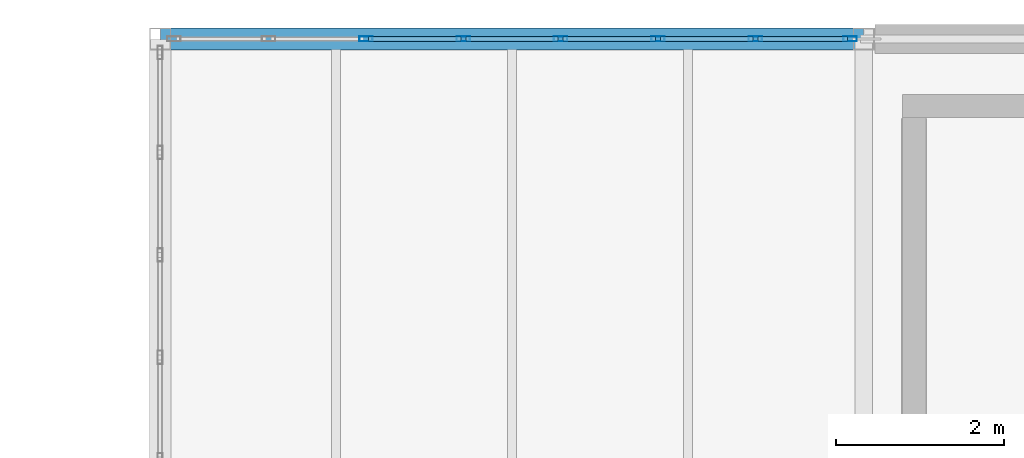
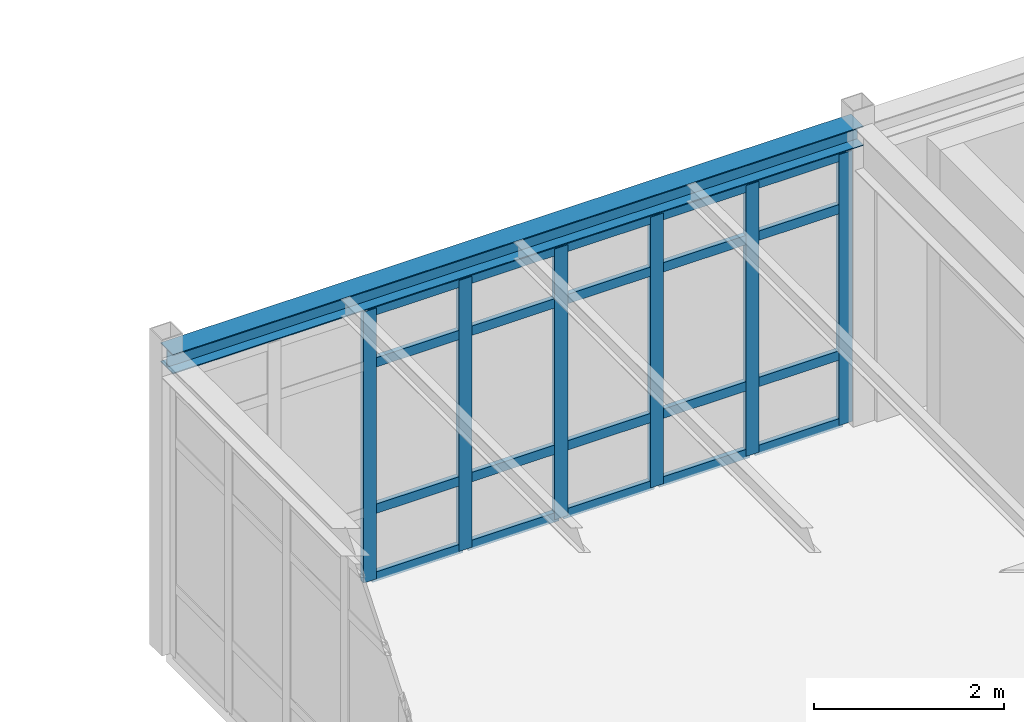
# One storey, part 100 of 189: 26 members, 1 beam, 1 element without a shape of its own.
"""IFC4 building model written with IfcOpenShell, lengths in metres."""

from ifc_helpers import new_model, si_unit, direction, frame, origin, origin_2d, place, context, subcontext, project, spatial, hollow_rectangle, i_section, extrude, material, layer, layer_set, material_profile, profile_set, type_object, element, aggregate, save


model = new_model("IFC4")

# Units and contexts
model_context = context("Model", 3, precision=1e-05, world=origin(), true_north=direction((0.0, 1.0)))
body_context = subcontext(model_context, "Body", "Model", "MODEL_VIEW")
ifc_project = project(units=[si_unit("LENGTHUNIT", "METRE"), si_unit("AREAUNIT", "SQUARE_METRE"), si_unit("VOLUMEUNIT", "CUBIC_METRE"), si_unit("PLANEANGLEUNIT", "RADIAN"), si_unit("MASSUNIT", "GRAM", prefix="KILO")], contexts=[model_context])

# Site, building, storey
site_placement = place(None, origin())
site = spatial("IfcSite", under=ifc_project, at=site_placement, CompositionType="ELEMENT")
building_placement = place(site_placement, origin())
building = spatial("IfcBuilding", under=site, at=building_placement, Name="Montecoro Central Library", CompositionType="ELEMENT")
storey_placement = place(building_placement, frame((0.0, 0.0, 9.179931640625)))
storey = spatial("IfcBuildingStorey", under=building, at=storey_placement, Name="L02", CompositionType="ELEMENT", Elevation=9.179931640625)

# Beam
ifc_material_1 = material(Name="Steel S355", Category="steel")
ifc_material_profile_1 = material_profile(ifc_material_1, i_section(OverallWidth=0.260009765625, OverallDepth=0.25, WebThickness=0.007568359375, FlangeThickness=0.012451171875, at=origin_2d()), Name="HEA 260")
ifc_profile_set_1 = profile_set([ifc_material_profile_1], Name="Steel S355")
beam_type = type_object("IfcBeamType", Name="BM-SP-HEA260", PredefinedType="SPANDREL", material=ifc_profile_set_1)
beam_placement = place(storey_placement, frame((66.405029296875, 119.0, 3.699951171875), z_axis=(1.0, 0.0, 0.0), x_axis=(0.0, 1.0, 0.0)))
element("IfcBeam", 1, at=beam_placement, inside=storey, type_object=beam_type, Name="V2-L02-BX-910-R", PredefinedType="SPANDREL", context=body_context, shape_type="SweptSolid", body=[
    extrude(i_section(OverallWidth=0.260009765625, OverallDepth=0.25, WebThickness=0.007568359375, FlangeThickness=0.012451171875, at=origin_2d()), origin(), (0.0, 0.0, 1.0), 8.389892578125),
])

# Curtain wall, members
ifc_material_2 = material(Name="Bronze-anodised aluminium and low-E glazing", Category="aluminium")
ifc_layer = layer(ifc_material_2, 0.159912109375)
ifc_layer_set = layer_set([ifc_layer], Name="Bronze-anodised aluminium and low-E glazing")
curtain_wall_type = type_object("IfcCurtainWallType", Name="CWT-016", PredefinedType="NOTDEFINED", material=ifc_layer_set)
curtain_wall_placement = place(storey_placement, origin())
curtain_wall = element("IfcCurtainWall", 2, at=curtain_wall_placement, inside=storey, type_object=curtain_wall_type, Name="V2-L02-CW-N0", PredefinedType="NOTDEFINED")
ifc_material_3 = material(Name="Bronze-anodised aluminium", Category="aluminium")
ifc_material_profile_2 = material_profile(ifc_material_3, hollow_rectangle(XDim=0.06005859375, YDim=0.159912109375, WallThickness=0.00390625, at=origin_2d()), Name="CWM 160x60x4.0")
ifc_profile_set_2 = profile_set([ifc_material_profile_2], Name="Bronze-anodised aluminium")
member_type_1 = type_object("IfcMemberType", Name="CWM-BRZ-60", PredefinedType="MULLION", material=ifc_profile_set_2)
member_1_placement = place(storey_placement, frame((74.636962890625, 119.0, 0.0), z_axis=(0.0, 0.0, 1.0), x_axis=(0.0, -1.0, 0.0)))
member_1 = element("IfcMember", 3, at=member_1_placement, type_object=member_type_1, Name="CW-016 mullion 1", PredefinedType="MULLION", context=body_context, shape_type="SweptSolid", body=[
    extrude(hollow_rectangle(XDim=0.06005859375, YDim=0.159912109375, WallThickness=0.00390625, at=origin_2d()), origin(), (0.0, 0.0, 1.0), 3.47998046875),
])
member_2_placement = place(storey_placement, frame((73.5048828125, 119.0, 0.0), z_axis=(0.0, 0.0, 1.0), x_axis=(0.0, -1.0, 0.0)))
member_2 = element("IfcMember", 4, at=member_2_placement, type_object=member_type_1, Name="CW-016 mullion 2", PredefinedType="MULLION", context=body_context, shape_type="SweptSolid", body=[
    extrude(hollow_rectangle(XDim=0.06005859375, YDim=0.159912109375, WallThickness=0.00390625, at=origin_2d()), origin(), (0.0, 0.0, 1.0), 3.47998046875),
])
member_3_placement = place(storey_placement, frame((72.343017578125, 119.0, 0.0), z_axis=(0.0, 0.0, 1.0), x_axis=(0.0, -1.0, 0.0)))
member_3 = element("IfcMember", 5, at=member_3_placement, type_object=member_type_1, Name="CW-016 mullion 3", PredefinedType="MULLION", context=body_context, shape_type="SweptSolid", body=[
    extrude(hollow_rectangle(XDim=0.06005859375, YDim=0.159912109375, WallThickness=0.00390625, at=origin_2d()), origin(), (0.0, 0.0, 1.0), 3.47998046875),
])
member_4_placement = place(storey_placement, frame((71.180908203125, 119.0, 0.0), z_axis=(0.0, 0.0, 1.0), x_axis=(0.0, -1.0, 0.0)))
member_4 = element("IfcMember", 6, at=member_4_placement, type_object=member_type_1, Name="CW-016 mullion 4", PredefinedType="MULLION", context=body_context, shape_type="SweptSolid", body=[
    extrude(hollow_rectangle(XDim=0.06005859375, YDim=0.159912109375, WallThickness=0.00390625, at=origin_2d()), origin(), (0.0, 0.0, 1.0), 3.47998046875),
])
member_5_placement = place(storey_placement, frame((70.01904296875, 119.0, 0.0), z_axis=(0.0, 0.0, 1.0), x_axis=(0.0, -1.0, 0.0)))
member_5 = element("IfcMember", 7, at=member_5_placement, type_object=member_type_1, Name="CW-016 mullion 5", PredefinedType="MULLION", context=body_context, shape_type="SweptSolid", body=[
    extrude(hollow_rectangle(XDim=0.06005859375, YDim=0.159912109375, WallThickness=0.00390625, at=origin_2d()), origin(), (0.0, 0.0, 1.0), 3.47998046875),
])
member_6_placement = place(storey_placement, frame((68.85693359375, 119.0, 0.0), z_axis=(0.0, 0.0, 1.0), x_axis=(0.0, -1.0, 0.0)))
member_6 = element("IfcMember", 8, at=member_6_placement, type_object=member_type_1, Name="CW-016 mullion 6", PredefinedType="MULLION", context=body_context, shape_type="SweptSolid", body=[
    extrude(hollow_rectangle(XDim=0.06005859375, YDim=0.159912109375, WallThickness=0.00390625, at=origin_2d()), origin(), (0.0, 0.0, 1.0), 3.47998046875),
])
ifc_material_profile_3 = material_profile(ifc_material_3, hollow_rectangle(XDim=0.06005859375, YDim=0.1201171875, WallThickness=0.00390625, at=origin_2d()), Name="CWT 120x60x4.0")
ifc_profile_set_3 = profile_set([ifc_material_profile_3], Name="Bronze-anodised aluminium")
member_type_2 = type_object("IfcMemberType", Name="CWT-BRZ-60", PredefinedType="USERDEFINED", material=ifc_profile_set_3)
member_7_placement = place(storey_placement, frame((74.60693359375, 119.0, 0.030029296875), z_axis=(-1.0, 0.0, 0.0), x_axis=(0.0, -1.0, 0.0)))
member_7 = element("IfcMember", 9, at=member_7_placement, type_object=member_type_2, Name="CW-016 transom 1.1", ObjectType="TRANSOM", PredefinedType="USERDEFINED", context=body_context, shape_type="SweptSolid", body=[
    extrude(hollow_rectangle(XDim=0.06005859375, YDim=0.1201171875, WallThickness=0.00390625, at=origin_2d()), origin(), (0.0, 0.0, 1.0), 1.072021484375),
])
member_8_placement = place(storey_placement, frame((74.60693359375, 119.0, 0.900146484375), z_axis=(-1.0, 0.0, 0.0), x_axis=(0.0, -1.0, 0.0)))
member_8 = element("IfcMember", 10, at=member_8_placement, type_object=member_type_2, Name="CW-016 transom 1.2", ObjectType="TRANSOM", PredefinedType="USERDEFINED", context=body_context, shape_type="SweptSolid", body=[
    extrude(hollow_rectangle(XDim=0.06005859375, YDim=0.1201171875, WallThickness=0.00390625, at=origin_2d()), origin(), (0.0, 0.0, 1.0), 1.072021484375),
])
member_9_placement = place(storey_placement, frame((74.60693359375, 119.0, 2.780029296875), z_axis=(-1.0, 0.0, 0.0), x_axis=(0.0, -1.0, 0.0)))
member_9 = element("IfcMember", 11, at=member_9_placement, type_object=member_type_2, Name="CW-016 transom 1.3", ObjectType="TRANSOM", PredefinedType="USERDEFINED", context=body_context, shape_type="SweptSolid", body=[
    extrude(hollow_rectangle(XDim=0.06005859375, YDim=0.1201171875, WallThickness=0.00390625, at=origin_2d()), origin(), (0.0, 0.0, 1.0), 1.072021484375),
])
member_10_placement = place(storey_placement, frame((74.60693359375, 119.0, 3.449951171875), z_axis=(-1.0, 0.0, 0.0), x_axis=(0.0, -1.0, 0.0)))
member_10 = element("IfcMember", 12, at=member_10_placement, type_object=member_type_2, Name="CW-016 transom 1.4", ObjectType="TRANSOM", PredefinedType="USERDEFINED", context=body_context, shape_type="SweptSolid", body=[
    extrude(hollow_rectangle(XDim=0.06005859375, YDim=0.1201171875, WallThickness=0.00390625, at=origin_2d()), origin(), (0.0, 0.0, 1.0), 1.072021484375),
])
member_11_placement = place(storey_placement, frame((73.47509765625, 119.0, 0.030029296875), z_axis=(-1.0, 0.0, 0.0), x_axis=(0.0, -1.0, 0.0)))
member_11 = element("IfcMember", 13, at=member_11_placement, type_object=member_type_2, Name="CW-016 transom 2.1", ObjectType="TRANSOM", PredefinedType="USERDEFINED", context=body_context, shape_type="SweptSolid", body=[
    extrude(hollow_rectangle(XDim=0.06005859375, YDim=0.1201171875, WallThickness=0.00390625, at=origin_2d()), origin(), (0.0, 0.0, 1.0), 1.10205078125),
])
member_12_placement = place(storey_placement, frame((73.47509765625, 119.0, 0.900146484375), z_axis=(-1.0, 0.0, 0.0), x_axis=(0.0, -1.0, 0.0)))
member_12 = element("IfcMember", 14, at=member_12_placement, type_object=member_type_2, Name="CW-016 transom 2.2", ObjectType="TRANSOM", PredefinedType="USERDEFINED", context=body_context, shape_type="SweptSolid", body=[
    extrude(hollow_rectangle(XDim=0.06005859375, YDim=0.1201171875, WallThickness=0.00390625, at=origin_2d()), origin(), (0.0, 0.0, 1.0), 1.10205078125),
])
member_13_placement = place(storey_placement, frame((73.47509765625, 119.0, 2.780029296875), z_axis=(-1.0, 0.0, 0.0), x_axis=(0.0, -1.0, 0.0)))
member_13 = element("IfcMember", 15, at=member_13_placement, type_object=member_type_2, Name="CW-016 transom 2.3", ObjectType="TRANSOM", PredefinedType="USERDEFINED", context=body_context, shape_type="SweptSolid", body=[
    extrude(hollow_rectangle(XDim=0.06005859375, YDim=0.1201171875, WallThickness=0.00390625, at=origin_2d()), origin(), (0.0, 0.0, 1.0), 1.10205078125),
])
member_14_placement = place(storey_placement, frame((73.47509765625, 119.0, 3.449951171875), z_axis=(-1.0, 0.0, 0.0), x_axis=(0.0, -1.0, 0.0)))
member_14 = element("IfcMember", 16, at=member_14_placement, type_object=member_type_2, Name="CW-016 transom 2.4", ObjectType="TRANSOM", PredefinedType="USERDEFINED", context=body_context, shape_type="SweptSolid", body=[
    extrude(hollow_rectangle(XDim=0.06005859375, YDim=0.1201171875, WallThickness=0.00390625, at=origin_2d()), origin(), (0.0, 0.0, 1.0), 1.10205078125),
])
member_15_placement = place(storey_placement, frame((72.31298828125, 119.0, 0.030029296875), z_axis=(-1.0, 0.0, 0.0), x_axis=(0.0, -1.0, 0.0)))
member_15 = element("IfcMember", 17, at=member_15_placement, type_object=member_type_2, Name="CW-016 transom 3.1", ObjectType="TRANSOM", PredefinedType="USERDEFINED", context=body_context, shape_type="SweptSolid", body=[
    extrude(hollow_rectangle(XDim=0.06005859375, YDim=0.1201171875, WallThickness=0.00390625, at=origin_2d()), origin(), (0.0, 0.0, 1.0), 1.10205078125),
])
member_16_placement = place(storey_placement, frame((72.31298828125, 119.0, 0.900146484375), z_axis=(-1.0, 0.0, 0.0), x_axis=(0.0, -1.0, 0.0)))
member_16 = element("IfcMember", 18, at=member_16_placement, type_object=member_type_2, Name="CW-016 transom 3.2", ObjectType="TRANSOM", PredefinedType="USERDEFINED", context=body_context, shape_type="SweptSolid", body=[
    extrude(hollow_rectangle(XDim=0.06005859375, YDim=0.1201171875, WallThickness=0.00390625, at=origin_2d()), origin(), (0.0, 0.0, 1.0), 1.10205078125),
])
member_17_placement = place(storey_placement, frame((72.31298828125, 119.0, 2.780029296875), z_axis=(-1.0, 0.0, 0.0), x_axis=(0.0, -1.0, 0.0)))
member_17 = element("IfcMember", 19, at=member_17_placement, type_object=member_type_2, Name="CW-016 transom 3.3", ObjectType="TRANSOM", PredefinedType="USERDEFINED", context=body_context, shape_type="SweptSolid", body=[
    extrude(hollow_rectangle(XDim=0.06005859375, YDim=0.1201171875, WallThickness=0.00390625, at=origin_2d()), origin(), (0.0, 0.0, 1.0), 1.10205078125),
])
member_18_placement = place(storey_placement, frame((72.31298828125, 119.0, 3.449951171875), z_axis=(-1.0, 0.0, 0.0), x_axis=(0.0, -1.0, 0.0)))
member_18 = element("IfcMember", 20, at=member_18_placement, type_object=member_type_2, Name="CW-016 transom 3.4", ObjectType="TRANSOM", PredefinedType="USERDEFINED", context=body_context, shape_type="SweptSolid", body=[
    extrude(hollow_rectangle(XDim=0.06005859375, YDim=0.1201171875, WallThickness=0.00390625, at=origin_2d()), origin(), (0.0, 0.0, 1.0), 1.10205078125),
])
member_19_placement = place(storey_placement, frame((71.15087890625, 119.0, 0.030029296875), z_axis=(-1.0, 0.0, 0.0), x_axis=(0.0, -1.0, 0.0)))
member_19 = element("IfcMember", 21, at=member_19_placement, type_object=member_type_2, Name="CW-016 transom 4.1", ObjectType="TRANSOM", PredefinedType="USERDEFINED", context=body_context, shape_type="SweptSolid", body=[
    extrude(hollow_rectangle(XDim=0.06005859375, YDim=0.1201171875, WallThickness=0.00390625, at=origin_2d()), origin(), (0.0, 0.0, 1.0), 1.101806640625),
])
member_20_placement = place(storey_placement, frame((71.15087890625, 119.0, 0.900146484375), z_axis=(-1.0, 0.0, 0.0), x_axis=(0.0, -1.0, 0.0)))
member_20 = element("IfcMember", 22, at=member_20_placement, type_object=member_type_2, Name="CW-016 transom 4.2", ObjectType="TRANSOM", PredefinedType="USERDEFINED", context=body_context, shape_type="SweptSolid", body=[
    extrude(hollow_rectangle(XDim=0.06005859375, YDim=0.1201171875, WallThickness=0.00390625, at=origin_2d()), origin(), (0.0, 0.0, 1.0), 1.101806640625),
])
member_21_placement = place(storey_placement, frame((71.15087890625, 119.0, 2.780029296875), z_axis=(-1.0, 0.0, 0.0), x_axis=(0.0, -1.0, 0.0)))
member_21 = element("IfcMember", 23, at=member_21_placement, type_object=member_type_2, Name="CW-016 transom 4.3", ObjectType="TRANSOM", PredefinedType="USERDEFINED", context=body_context, shape_type="SweptSolid", body=[
    extrude(hollow_rectangle(XDim=0.06005859375, YDim=0.1201171875, WallThickness=0.00390625, at=origin_2d()), origin(), (0.0, 0.0, 1.0), 1.101806640625),
])
member_22_placement = place(storey_placement, frame((71.15087890625, 119.0, 3.449951171875), z_axis=(-1.0, 0.0, 0.0), x_axis=(0.0, -1.0, 0.0)))
member_22 = element("IfcMember", 24, at=member_22_placement, type_object=member_type_2, Name="CW-016 transom 4.4", ObjectType="TRANSOM", PredefinedType="USERDEFINED", context=body_context, shape_type="SweptSolid", body=[
    extrude(hollow_rectangle(XDim=0.06005859375, YDim=0.1201171875, WallThickness=0.00390625, at=origin_2d()), origin(), (0.0, 0.0, 1.0), 1.101806640625),
])
member_23_placement = place(storey_placement, frame((69.989013671875, 119.0, 0.030029296875), z_axis=(-1.0, 0.0, 0.0), x_axis=(0.0, -1.0, 0.0)))
member_23 = element("IfcMember", 25, at=member_23_placement, type_object=member_type_2, Name="CW-016 transom 5.1", ObjectType="TRANSOM", PredefinedType="USERDEFINED", context=body_context, shape_type="SweptSolid", body=[
    extrude(hollow_rectangle(XDim=0.06005859375, YDim=0.1201171875, WallThickness=0.00390625, at=origin_2d()), origin(), (0.0, 0.0, 1.0), 1.10205078125),
])
member_24_placement = place(storey_placement, frame((69.989013671875, 119.0, 0.900146484375), z_axis=(-1.0, 0.0, 0.0), x_axis=(0.0, -1.0, 0.0)))
member_24 = element("IfcMember", 26, at=member_24_placement, type_object=member_type_2, Name="CW-016 transom 5.2", ObjectType="TRANSOM", PredefinedType="USERDEFINED", context=body_context, shape_type="SweptSolid", body=[
    extrude(hollow_rectangle(XDim=0.06005859375, YDim=0.1201171875, WallThickness=0.00390625, at=origin_2d()), origin(), (0.0, 0.0, 1.0), 1.10205078125),
])
member_25_placement = place(storey_placement, frame((69.989013671875, 119.0, 2.780029296875), z_axis=(-1.0, 0.0, 0.0), x_axis=(0.0, -1.0, 0.0)))
member_25 = element("IfcMember", 27, at=member_25_placement, type_object=member_type_2, Name="CW-016 transom 5.3", ObjectType="TRANSOM", PredefinedType="USERDEFINED", context=body_context, shape_type="SweptSolid", body=[
    extrude(hollow_rectangle(XDim=0.06005859375, YDim=0.1201171875, WallThickness=0.00390625, at=origin_2d()), origin(), (0.0, 0.0, 1.0), 1.10205078125),
])
member_26_placement = place(storey_placement, frame((69.989013671875, 119.0, 3.449951171875), z_axis=(-1.0, 0.0, 0.0), x_axis=(0.0, -1.0, 0.0)))
member_26 = element("IfcMember", 28, at=member_26_placement, type_object=member_type_2, Name="CW-016 transom 5.4", ObjectType="TRANSOM", PredefinedType="USERDEFINED", context=body_context, shape_type="SweptSolid", body=[
    extrude(hollow_rectangle(XDim=0.06005859375, YDim=0.1201171875, WallThickness=0.00390625, at=origin_2d()), origin(), (0.0, 0.0, 1.0), 1.10205078125),
])
aggregate(curtain_wall, [member_1, member_2, member_3, member_4, member_5, member_6, member_7, member_8, member_9, member_10, member_11, member_12, member_13, member_14, member_15, member_16, member_17, member_18, member_19, member_20, member_21, member_22, member_23, member_24, member_25, member_26])

save(model, "model.ifc")
